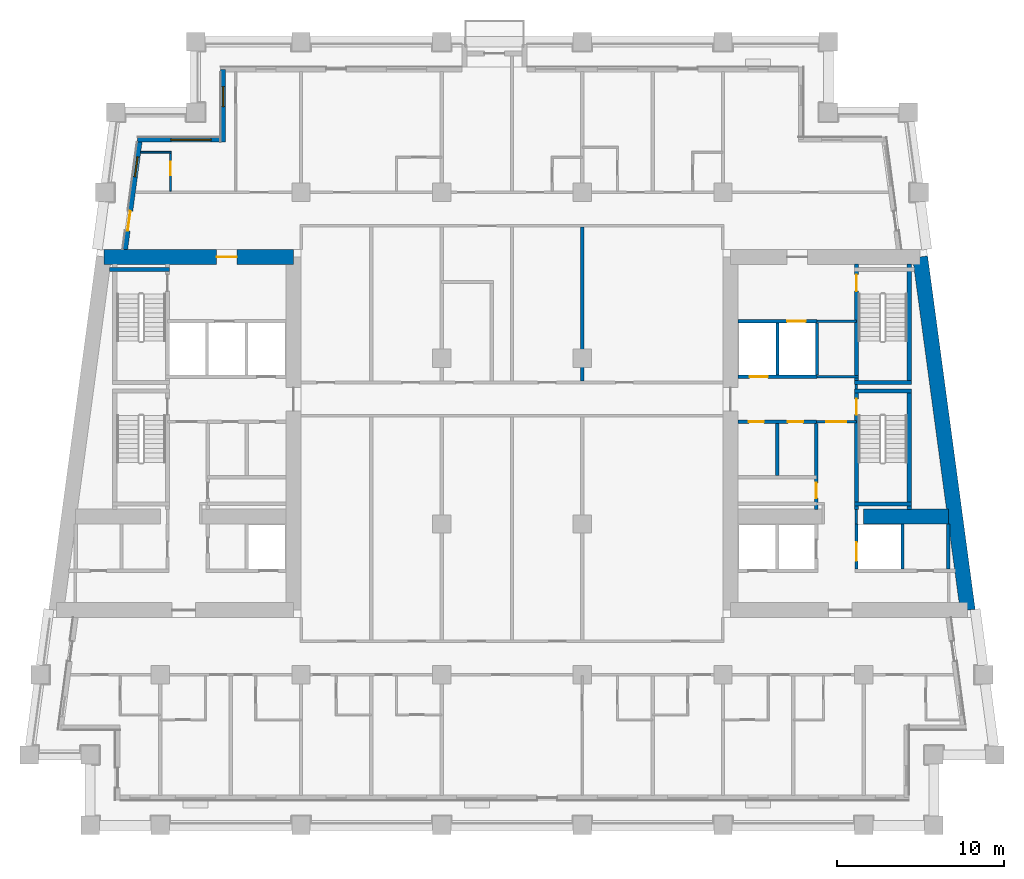
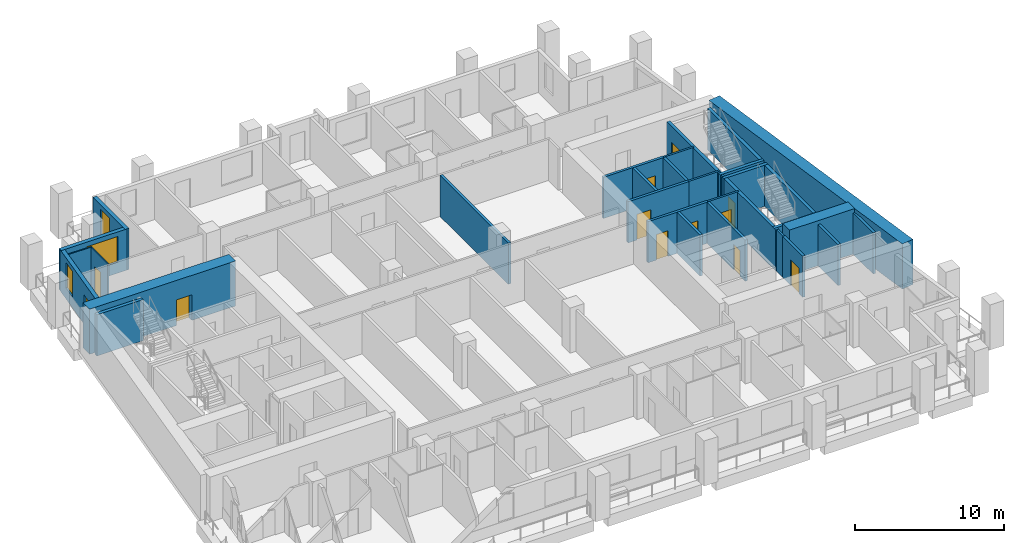
# One storey, part 6 of 13: 32 walls, 12 doors, 3 windows, 15 openings.
"""IFC4 building model written with IfcOpenShell, lengths in metres."""

from ifc_helpers import new_model, si_unit, direction, frame, frame_2d, origin, place, context, subcontext, project, spatial, rectangle, extrude, material, layer, layer_set, type_object, element, fill, save


model = new_model("IFC4")

# Units and contexts
model_context = context("Model", 3, precision=1e-05, world=origin(), true_north=direction((0.0, 1.0)))
body_context = subcontext(model_context, "Body", "Model", "MODEL_VIEW")
ifc_project = project(units=[si_unit("LENGTHUNIT", "METRE"), si_unit("AREAUNIT", "SQUARE_METRE"), si_unit("VOLUMEUNIT", "CUBIC_METRE"), si_unit("PLANEANGLEUNIT", "RADIAN"), si_unit("MASSUNIT", "GRAM", prefix="KILO")], contexts=[model_context])

# Site, building, storey
site_placement = place(None, origin())
site = spatial("IfcSite", under=ifc_project, at=site_placement, CompositionType="ELEMENT")
building_placement = place(site_placement, origin())
building = spatial("IfcBuilding", under=site, at=building_placement, Name="Candeia Pilgrim Tower and Theatre", CompositionType="ELEMENT")
storey_placement = place(building_placement, frame((0.0, 0.0, 177.39990234375)))
storey = spatial("IfcBuildingStorey", under=building, at=storey_placement, Name="L42", CompositionType="ELEMENT", Elevation=177.39990234375)

# Wall, opening, door
ifc_material_1 = material(Name="Concrete C60/75", Category="concrete")
ifc_layer_1 = layer(ifc_material_1, 0.89990234375)
ifc_layer_set_1 = layer_set([ifc_layer_1], Name="Core wall 900 C60/75")
wall_type_1 = type_object("IfcWallType", Name="Core wall 900 C60/75", PredefinedType="SHEAR", material=ifc_layer_set_1)
wall_1_placement = place(storey_placement, frame((89.024169921875, 131.949951171875, 0.0), z_axis=(0.0, 0.0, 1.0), x_axis=(1.0, 0.0, 0.0)))
wall_1 = element("IfcWall", 1, at=wall_1_placement, inside=storey, type_object=wall_type_1, Name="Core wall W1", PredefinedType="SHEAR", context=body_context, shape_type="SweptSolid", body=[
    extrude(rectangle(XDim=11.325927734375, YDim=0.89990234375, at=frame_2d((5.6630859375, 0.0))), origin(), (0.0, 0.0, 1.0), 3.7001953125),
])
opening_1_placement = place(wall_1_placement, frame((6.7392578125, 0.0, 0.0)))
opening_1 = element("IfcOpeningElement", 2, at=opening_1_placement, cuts=wall_1, Name="Opening L42-D063", PredefinedType="OPENING", context=body_context, shape_type="SweptSolid", body=[
    extrude(rectangle(XDim=1.199951171875, YDim=2.10009765625, at=frame_2d((0.60009765625, 1.050048828125))), frame((0.0, 0.4599609375, 0.0), z_axis=(0.0, -1.0, 0.0), x_axis=(1.0, 0.0, 0.0)), (0.0, 0.0, 1.0), 0.919921875),
])
ifc_material_2 = material(Name="Steel fire door set", Category="steel")
door_type_1 = type_object("IfcDoorType", Name="D-1200-FD60", OperationType="NOTDEFINED", PredefinedType="DOOR", material=ifc_material_2)
door_1_placement = place(opening_1_placement, origin())
door_1 = element("IfcDoor", 3, at=door_1_placement, inside=storey, type_object=door_type_1, Name="Door L42-D063", OperationType="SINGLE_SWING_LEFT", OverallHeight=2.10009765625, OverallWidth=1.199951171875, PredefinedType="DOOR", context=body_context, shape_type="SweptSolid", body=[
    extrude(rectangle(XDim=1.199951171875, YDim=2.10009765625, at=frame_2d((0.60009765625, 1.050048828125))), frame((0.0, 0.02490234375, 0.0), z_axis=(0.0, -1.0, 0.0), x_axis=(1.0, 0.0, 0.0)), (0.0, 0.0, 1.0), 0.050048828125),
])
fill(opening_1, door_1)

# Walls
wall_2_placement = place(storey_placement, frame((137.775634765625, 131.949951171875, 0.0), z_axis=(0.0, 0.0, 1.0), x_axis=(0.133421759112, -0.991059349482, 0.0)))
element("IfcWall", 4, at=wall_2_placement, inside=storey, type_object=wall_type_1, Name="Core wall E2", PredefinedType="SHEAR", context=body_context, shape_type="SweptSolid", body=[
    extrude(rectangle(XDim=21.290283203125, YDim=0.89990234375, at=frame_2d((10.64501953125, 0.0))), origin(), (0.0, 0.0, 1.0), 3.7001953125),
])
wall_3_placement = place(storey_placement, frame((134.39990234375, 116.449951171875, 0.0), z_axis=(0.0, 0.0, 1.0), x_axis=(1.0, 0.0, 0.0)))
element("IfcWall", 5, at=wall_3_placement, inside=storey, type_object=wall_type_1, Name="Core wall E6", PredefinedType="SHEAR", context=body_context, shape_type="SweptSolid", body=[
    extrude(rectangle(XDim=5.076904296875, YDim=0.89990234375, at=frame_2d((2.53857421875, 0.0))), origin(), (0.0, 0.0, 1.0), 3.7001953125),
])

# Wall, opening, window
ifc_material_3 = material(Name="Ceramic block masonry", Category="masonry")
ifc_layer_2 = layer(ifc_material_3, 0.300048828125)
ifc_layer_set_2 = layer_set([ifc_layer_2], Name="EW1 glazing-line wall 300")
wall_type_2 = type_object("IfcWallType", Name="EW1 glazing-line wall 300", PredefinedType="SOLIDWALL", material=ifc_layer_set_2)
wall_4_placement = place(storey_placement, frame((96.14990234375, 143.14990234375, 0.0), z_axis=(0.0, 0.0, 1.0), x_axis=(0.0, -1.0, 0.0)))
wall_4 = element("IfcWall", 6, at=wall_4_placement, inside=storey, type_object=wall_type_2, Name="External wall L42-7.0", PredefinedType="SOLIDWALL", context=body_context, shape_type="SweptSolid", body=[
    extrude(rectangle(XDim=4.349853515625, YDim=0.300048828125, at=frame_2d((2.1748046875, 0.0))), origin(), (0.0, 0.0, 1.0), 3.380126953125),
])
opening_2_placement = place(wall_4_placement, frame((1.02490234375, 0.0, 0.89990234375)))
opening_2 = element("IfcOpeningElement", 7, at=opening_2_placement, cuts=wall_4, Name="Opening W-B", PredefinedType="OPENING", context=body_context, shape_type="SweptSolid", body=[
    extrude(rectangle(XDim=1.199951171875, YDim=2.10009765625, at=frame_2d((0.60009765625, 1.050048828125))), frame((0.0, 0.16015625, 0.0), z_axis=(0.0, -1.0, 0.0), x_axis=(1.0, 0.0, 0.0)), (0.0, 0.0, 1.0), 0.320068359375),
])
ifc_material_4 = material(Name="Aluminium framed double glazing", Category="aluminium")
window_type_1 = type_object("IfcWindowType", Name="W-B window 1200x2100", PartitioningType="SINGLE_PANEL", PredefinedType="WINDOW", material=ifc_material_4)
window_1_placement = place(opening_2_placement, origin())
window_1 = element("IfcWindow", 8, at=window_1_placement, inside=storey, type_object=window_type_1, Name="Window W-B L42", OverallHeight=2.10009765625, OverallWidth=1.199951171875, PartitioningType="SINGLE_PANEL", PredefinedType="WINDOW", context=body_context, shape_type="SweptSolid", body=[
    extrude(rectangle(XDim=1.199951171875, YDim=2.10009765625, at=frame_2d((0.60009765625, 1.050048828125))), frame((0.0, 0.030029296875, 0.0), z_axis=(0.0, -1.0, 0.0), x_axis=(1.0, 0.0, 0.0)), (0.0, 0.0, 1.0), 0.06005859375),
])
fill(opening_2, window_1)

wall_5_placement = place(storey_placement, frame((96.14990234375, 138.949951171875, 0.0), z_axis=(0.0, 0.0, 1.0), x_axis=(-1.0, 0.0, 0.0)))
wall_5 = element("IfcWall", 9, at=wall_5_placement, inside=storey, type_object=wall_type_2, Name="External wall L42-8.0", PredefinedType="SOLIDWALL", context=body_context, shape_type="SweptSolid", body=[
    extrude(rectangle(XDim=5.103759765625, YDim=0.300048828125, at=frame_2d((2.5517578125, 0.0))), origin(), (0.0, 0.0, 1.0), 3.380126953125),
])
opening_3_placement = place(wall_5_placement, frame((0.72509765625, 0.0, 0.89990234375)))
opening_3 = element("IfcOpeningElement", 10, at=opening_3_placement, cuts=wall_5, Name="Opening W-A", PredefinedType="OPENING", context=body_context, shape_type="SweptSolid", body=[
    extrude(rectangle(XDim=2.39990234375, YDim=2.10009765625, at=frame_2d((1.199951171875, 1.050048828125))), frame((0.0, 0.16015625, 0.0), z_axis=(0.0, -1.0, 0.0), x_axis=(1.0, 0.0, 0.0)), (0.0, 0.0, 1.0), 0.320068359375),
])
window_type_2 = type_object("IfcWindowType", Name="W-A window 2400x2100", PartitioningType="DOUBLE_PANEL_VERTICAL", PredefinedType="WINDOW", material=ifc_material_4)
window_2_placement = place(opening_3_placement, origin())
window_2 = element("IfcWindow", 11, at=window_2_placement, inside=storey, type_object=window_type_2, Name="Window W-A L42", OverallHeight=2.10009765625, OverallWidth=2.39990234375, PartitioningType="SINGLE_PANEL", PredefinedType="WINDOW", context=body_context, shape_type="SweptSolid", body=[
    extrude(rectangle(XDim=2.39990234375, YDim=2.10009765625, at=frame_2d((1.199951171875, 1.050048828125))), frame((0.0, 0.030029296875, 0.0), z_axis=(0.0, -1.0, 0.0), x_axis=(1.0, 0.0, 0.0)), (0.0, 0.0, 1.0), 0.06005859375),
])
fill(opening_3, window_2)

# Wall, openings, door, window
wall_6_placement = place(storey_placement, frame((91.177490234375, 138.949951171875, 0.0), z_axis=(0.0, 0.0, 1.0), x_axis=(-0.133426664613, -0.991058689065, 0.0)))
wall_6 = element("IfcWall", 12, at=wall_6_placement, inside=storey, type_object=wall_type_2, Name="External wall L42-9.0", PredefinedType="SOLIDWALL", context=body_context, shape_type="SweptSolid", body=[
    extrude(rectangle(XDim=6.609130859375, YDim=0.300048828125, at=frame_2d((3.3046875, 0.0))), origin(), (0.0, 0.0, 1.0), 3.380126953125),
])
opening_4_placement = place(wall_6_placement, frame((1.039306640625, 0.0, 0.89990234375)))
opening_4 = element("IfcOpeningElement", 13, at=opening_4_placement, cuts=wall_6, Name="Opening W-B", PredefinedType="OPENING", context=body_context, shape_type="SweptSolid", body=[
    extrude(rectangle(XDim=1.199951171875, YDim=2.10009765625, at=frame_2d((0.60009765625, 1.050048828125))), frame((0.0, 0.16015625, 0.0), z_axis=(0.0, -1.0, 0.0), x_axis=(1.0, 0.0, 0.0)), (0.0, 0.0, 1.0), 0.320068359375),
])
opening_5_placement = place(wall_6_placement, frame((4.293701171875, 0.0, 0.0)))
opening_5 = element("IfcOpeningElement", 14, at=opening_5_placement, cuts=wall_6, Name="Opening L42-ED408", PredefinedType="OPENING", context=body_context, shape_type="SweptSolid", body=[
    extrude(rectangle(XDim=1.199951171875, YDim=2.39990234375, at=frame_2d((0.60009765625, 1.199951171875))), frame((0.0, 0.16015625, 0.0), z_axis=(0.0, -1.0, 0.0), x_axis=(1.0, 0.0, 0.0)), (0.0, 0.0, 1.0), 0.320068359375),
])
ifc_material_5 = material(Name="Aluminium framed glazed door", Category="aluminium")
door_type_2 = type_object("IfcDoorType", Name="Loggia door 1200x2400", OperationType="DOUBLE_DOOR_SINGLE_SWING", PredefinedType="DOOR", material=ifc_material_5)
door_2_placement = place(opening_5_placement, origin())
door_2 = element("IfcDoor", 15, at=door_2_placement, inside=storey, type_object=door_type_2, Name="Loggia door L42-ED408", OperationType="DOUBLE_DOOR_SINGLE_SWING", OverallHeight=2.39990234375, OverallWidth=1.199951171875, PredefinedType="DOOR", context=body_context, shape_type="SweptSolid", body=[
    extrude(rectangle(XDim=1.199951171875, YDim=2.39990234375, at=frame_2d((0.60009765625, 1.199951171875))), frame((0.0, 0.02490234375, 0.0), z_axis=(0.0, -1.0, 0.0), x_axis=(1.0, 0.0, 0.0)), (0.0, 0.0, 1.0), 0.050048828125),
])
fill(opening_5, door_2)
window_3_placement = place(opening_4_placement, origin())
window_3 = element("IfcWindow", 16, at=window_3_placement, inside=storey, type_object=window_type_1, Name="Window W-B L42", OverallHeight=2.10009765625, OverallWidth=1.199951171875, PartitioningType="SINGLE_PANEL", PredefinedType="WINDOW", context=body_context, shape_type="SweptSolid", body=[
    extrude(rectangle(XDim=1.199951171875, YDim=2.10009765625, at=frame_2d((0.60009765625, 1.050048828125))), frame((0.0, 0.030029296875, 0.0), z_axis=(0.0, -1.0, 0.0), x_axis=(1.0, 0.0, 0.0)), (0.0, 0.0, 1.0), 0.06005859375),
])
fill(opening_4, window_3)

# Wall
ifc_material_6 = material(Name="Gypsum board partition on steel studs", Category="steel")
ifc_layer_3 = layer(ifc_material_6, 0.10009765625)
ifc_layer_set_3 = layer_set([ifc_layer_3], Name="PW-100 room partition")
wall_type_3 = type_object("IfcWallType", Name="PW-100 room partition", PredefinedType="PARTITIONING", material=ifc_layer_set_3)
wall_7_placement = place(storey_placement, frame((91.2177734375, 138.199951171875, 0.0), z_axis=(0.0, 0.0, 1.0), x_axis=(1.0, 0.0, 0.0)))
element("IfcWall", 17, at=wall_7_placement, inside=storey, type_object=wall_type_3, Name="Room partition L42-048", PredefinedType="PARTITIONING", context=body_context, shape_type="SweptSolid", body=[
    extrude(rectangle(XDim=1.832275390625, YDim=0.10009765625, at=frame_2d((0.916015625, 0.0))), origin(), (0.0, 0.0, 1.0), 3.380126953125),
])

# Wall, opening, door
wall_8_placement = place(storey_placement, frame((93.0, 135.875, 0.0), z_axis=(0.0, 0.0, 1.0), x_axis=(0.0, 1.0, 0.0)))
wall_8 = element("IfcWall", 18, at=wall_8_placement, inside=storey, type_object=wall_type_3, Name="Room partition L42-063", PredefinedType="PARTITIONING", context=body_context, shape_type="SweptSolid", body=[
    extrude(rectangle(XDim=2.27490234375, YDim=0.10009765625, at=frame_2d((1.137451171875, 0.0))), origin(), (0.0, 0.0, 1.0), 3.380126953125),
])
opening_6_placement = place(wall_8_placement, frame((0.949951171875, 0.0, 0.0)))
opening_6 = element("IfcOpeningElement", 19, at=opening_6_placement, cuts=wall_8, Name="Opening L42-D040", PredefinedType="OPENING", context=body_context, shape_type="SweptSolid", body=[
    extrude(rectangle(XDim=0.800048828125, YDim=2.10009765625, at=frame_2d((0.39990234375, 1.050048828125))), frame((0.0, 0.06005859375, 0.0), z_axis=(0.0, -1.0, 0.0), x_axis=(1.0, 0.0, 0.0)), (0.0, 0.0, 1.0), 0.1201171875),
])
ifc_material_7 = material(Name="Timber door leaf", Category="wood")
door_type_3 = type_object("IfcDoorType", Name="D-800", OperationType="NOTDEFINED", PredefinedType="DOOR", material=ifc_material_7)
door_3_placement = place(opening_6_placement, origin())
door_3 = element("IfcDoor", 20, at=door_3_placement, inside=storey, type_object=door_type_3, Name="Door L42-D040", OperationType="SINGLE_SWING_RIGHT", OverallHeight=2.10009765625, OverallWidth=0.800048828125, PredefinedType="DOOR", context=body_context, shape_type="SweptSolid", body=[
    extrude(rectangle(XDim=0.800048828125, YDim=2.10009765625, at=frame_2d((0.39990234375, 1.050048828125))), frame((0.0, 0.02490234375, 0.0), z_axis=(0.0, -1.0, 0.0), x_axis=(1.0, 0.0, 0.0)), (0.0, 0.0, 1.0), 0.050048828125),
])
fill(opening_6, door_3)

ifc_layer_4 = layer(ifc_material_6, 0.14990234375)
ifc_layer_set_4 = layer_set([ifc_layer_4], Name="PW-150 lobby wall")
wall_type_4 = type_object("IfcWallType", Name="PW-150 lobby wall", PredefinedType="PARTITIONING", material=ifc_layer_set_4)
wall_9_placement = place(storey_placement, frame((131.572998046875, 122.10009765625, 0.0), z_axis=(0.0, 0.0, 1.0), x_axis=(1.0, 0.0, 0.0)))
wall_9 = element("IfcWall", 21, at=wall_9_placement, inside=storey, type_object=wall_type_4, Name="Lobby wall L42-028", PredefinedType="PARTITIONING", context=body_context, shape_type="SweptSolid", body=[
    extrude(rectangle(XDim=2.39990234375, YDim=0.14990234375, at=frame_2d((1.199951171875, 0.0))), origin(), (0.0, 0.0, 1.0), 3.380126953125),
])
opening_7_placement = place(wall_9_placement, frame((0.60009765625, 0.0, 0.0)))
opening_7 = element("IfcOpeningElement", 22, at=opening_7_placement, cuts=wall_9, Name="Opening L42-D010", PredefinedType="OPENING", context=body_context, shape_type="SweptSolid", body=[
    extrude(rectangle(XDim=1.199951171875, YDim=2.10009765625, at=frame_2d((0.60009765625, 1.050048828125))), frame((0.0, 0.0849609375, 0.0), z_axis=(0.0, -1.0, 0.0), x_axis=(1.0, 0.0, 0.0)), (0.0, 0.0, 1.0), 0.169921875),
])
door_4_placement = place(opening_7_placement, origin())
door_4 = element("IfcDoor", 23, at=door_4_placement, inside=storey, type_object=door_type_1, Name="Door L42-D010", OperationType="SINGLE_SWING_LEFT", OverallHeight=2.10009765625, OverallWidth=1.199951171875, PredefinedType="DOOR", context=body_context, shape_type="SweptSolid", body=[
    extrude(rectangle(XDim=1.199951171875, YDim=2.10009765625, at=frame_2d((0.60009765625, 1.050048828125))), frame((0.0, 0.02490234375, 0.0), z_axis=(0.0, -1.0, 0.0), x_axis=(1.0, 0.0, 0.0)), (0.0, 0.0, 1.0), 0.050048828125),
])
fill(opening_7, door_4)

# Walls
wall_10_placement = place(storey_placement, frame((131.615234375, 124.800048828125, 0.0), z_axis=(0.0, 0.0, 1.0), x_axis=(1.0, 0.0, 0.0)))
element("IfcWall", 24, at=wall_10_placement, inside=storey, type_object=wall_type_4, Name="Lobby wall L42-037", PredefinedType="PARTITIONING", context=body_context, shape_type="SweptSolid", body=[
    extrude(rectangle(XDim=2.482666015625, YDim=0.14990234375, at=frame_2d((1.2412109375, 0.0))), origin(), (0.0, 0.0, 1.0), 3.380126953125),
])
wall_11_placement = place(storey_placement, frame((131.615234375, 128.10009765625, 0.0), z_axis=(0.0, 0.0, 1.0), x_axis=(1.0, 0.0, 0.0)))
element("IfcWall", 25, at=wall_11_placement, inside=storey, type_object=wall_type_4, Name="Lobby wall L42-040", PredefinedType="PARTITIONING", context=body_context, shape_type="SweptSolid", body=[
    extrude(rectangle(XDim=2.357666015625, YDim=0.14990234375, at=frame_2d((1.1787109375, 0.0))), origin(), (0.0, 0.0, 1.0), 3.380126953125),
])
wall_12_placement = place(storey_placement, frame((133.972900390625, 116.0, 0.0), z_axis=(0.0, 0.0, 1.0), x_axis=(0.0, 1.0, 0.0)))
element("IfcWall", 26, at=wall_12_placement, inside=storey, type_object=wall_type_4, Name="Lobby wall L42-119", PredefinedType="PARTITIONING", context=body_context, shape_type="SweptSolid", body=[
    extrude(rectangle(XDim=0.8701171875, YDim=0.14990234375, at=frame_2d((0.43505859375, 0.0))), origin(), (0.0, 0.0, 1.0), 3.380126953125),
])
wall_13_placement = place(storey_placement, frame((133.972900390625, 124.074951171875, 0.0), z_axis=(0.0, 0.0, 1.0), x_axis=(0.0, 1.0, 0.0)))
element("IfcWall", 27, at=wall_13_placement, inside=storey, type_object=wall_type_4, Name="Lobby wall L42-120", PredefinedType="PARTITIONING", context=body_context, shape_type="SweptSolid", body=[
    extrude(rectangle(XDim=0.25, YDim=0.14990234375, at=frame_2d((0.125, 0.0))), origin(), (0.0, 0.0, 1.0), 3.380126953125),
])
ifc_layer_5 = layer(ifc_material_6, 0.199951171875)
ifc_layer_set_5 = layer_set([ifc_layer_5], Name="PW-200 party wall")
wall_type_5 = type_object("IfcWallType", Name="PW-200 party wall", PredefinedType="PARTITIONING", material=ifc_layer_set_5)
wall_14_placement = place(storey_placement, frame((117.60009765625, 124.52490234375, 0.0), z_axis=(0.0, 0.0, 1.0), x_axis=(0.0, 1.0, 0.0)))
element("IfcWall", 28, at=wall_14_placement, inside=storey, type_object=wall_type_5, Name="Party wall L42-096", PredefinedType="PARTITIONING", context=body_context, shape_type="SweptSolid", body=[
    extrude(rectangle(XDim=9.2001953125, YDim=0.199951171875, at=frame_2d((4.60009765625, 0.0))), origin(), (0.0, 0.0, 1.0), 3.380126953125),
])

# Wall, openings, doors
ifc_material_8 = material(Name="Concrete C40/50", Category="concrete")
ifc_layer_6 = layer(ifc_material_8, 0.199951171875)
ifc_layer_set_6 = layer_set([ifc_layer_6], Name="SW-200 shaft wall")
wall_type_6 = type_object("IfcWallType", Name="SW-200 shaft wall", PredefinedType="PARTITIONING", material=ifc_layer_set_6)
wall_15_placement = place(storey_placement, frame((126.89990234375, 122.10009765625, 0.0), z_axis=(0.0, 0.0, 1.0), x_axis=(1.0, 0.0, 0.0)))
wall_15 = element("IfcWall", 29, at=wall_15_placement, inside=storey, type_object=wall_type_6, Name="Shaft wall L42-026", PredefinedType="PARTITIONING", context=body_context, shape_type="SweptSolid", body=[
    extrude(rectangle(XDim=4.673095703125, YDim=0.199951171875, at=frame_2d((2.33642578125, 0.0))), origin(), (0.0, 0.0, 1.0), 3.380126953125),
])
opening_8_placement = place(wall_15_placement, frame((2.98095703125, 0.0, 0.0)))
opening_8 = element("IfcOpeningElement", 30, at=opening_8_placement, cuts=wall_15, Name="Opening L42-D011", PredefinedType="OPENING", context=body_context, shape_type="SweptSolid", body=[
    extrude(rectangle(XDim=0.89990234375, YDim=2.10009765625, at=frame_2d((0.449951171875, 1.050048828125))), frame((0.0, 0.10986328125, 0.0), z_axis=(0.0, -1.0, 0.0), x_axis=(1.0, 0.0, 0.0)), (0.0, 0.0, 1.0), 0.219970703125),
])
opening_9_placement = place(wall_15_placement, frame((0.64501953125, 0.0, 0.0)))
opening_9 = element("IfcOpeningElement", 31, at=opening_9_placement, cuts=wall_15, Name="Opening L42-D012", PredefinedType="OPENING", context=body_context, shape_type="SweptSolid", body=[
    extrude(rectangle(XDim=0.89990234375, YDim=2.10009765625, at=frame_2d((0.449951171875, 1.050048828125))), frame((0.0, 0.10986328125, 0.0), z_axis=(0.0, -1.0, 0.0), x_axis=(1.0, 0.0, 0.0)), (0.0, 0.0, 1.0), 0.219970703125),
])
door_type_4 = type_object("IfcDoorType", Name="D-900-FD60", OperationType="NOTDEFINED", PredefinedType="DOOR", material=ifc_material_2)
door_5_placement = place(opening_8_placement, origin())
door_5 = element("IfcDoor", 32, at=door_5_placement, inside=storey, type_object=door_type_4, Name="Door L42-D011", OperationType="SINGLE_SWING_RIGHT", OverallHeight=2.10009765625, OverallWidth=0.89990234375, PredefinedType="DOOR", context=body_context, shape_type="SweptSolid", body=[
    extrude(rectangle(XDim=0.89990234375, YDim=2.10009765625, at=frame_2d((0.449951171875, 1.050048828125))), frame((0.0, 0.02490234375, 0.0), z_axis=(0.0, -1.0, 0.0), x_axis=(1.0, 0.0, 0.0)), (0.0, 0.0, 1.0), 0.050048828125),
])
fill(opening_8, door_5)
door_6_placement = place(opening_9_placement, origin())
door_6 = element("IfcDoor", 33, at=door_6_placement, inside=storey, type_object=door_type_4, Name="Door L42-D012", OperationType="SINGLE_SWING_LEFT", OverallHeight=2.10009765625, OverallWidth=0.89990234375, PredefinedType="DOOR", context=body_context, shape_type="SweptSolid", body=[
    extrude(rectangle(XDim=0.89990234375, YDim=2.10009765625, at=frame_2d((0.449951171875, 1.050048828125))), frame((0.0, 0.02490234375, 0.0), z_axis=(0.0, -1.0, 0.0), x_axis=(1.0, 0.0, 0.0)), (0.0, 0.0, 1.0), 0.050048828125),
])
fill(opening_9, door_6)

# Wall, opening, door
wall_16_placement = place(storey_placement, frame((126.89990234375, 124.800048828125, 0.0), z_axis=(0.0, 0.0, 1.0), x_axis=(1.0, 0.0, 0.0)))
wall_16 = element("IfcWall", 34, at=wall_16_placement, inside=storey, type_object=wall_type_6, Name="Shaft wall L42-036", PredefinedType="PARTITIONING", context=body_context, shape_type="SweptSolid", body=[
    extrude(rectangle(XDim=4.71533203125, YDim=0.199951171875, at=frame_2d((2.357666015625, 0.0))), origin(), (0.0, 0.0, 1.0), 3.380126953125),
])
opening_10_placement = place(wall_16_placement, frame((0.68505859375, 0.0, 0.0)))
opening_10 = element("IfcOpeningElement", 35, at=opening_10_placement, cuts=wall_16, Name="Opening L42-LD05", PredefinedType="OPENING", context=body_context, shape_type="SweptSolid", body=[
    extrude(rectangle(XDim=1.10009765625, YDim=2.10009765625, at=frame_2d((0.550048828125, 1.050048828125))), frame((0.0, 0.10986328125, 0.0), z_axis=(0.0, -1.0, 0.0), x_axis=(1.0, 0.0, 0.0)), (0.0, 0.0, 1.0), 0.219970703125),
])
ifc_material_9 = material(Name="Glazed aluminium landing door", Category="aluminium")
door_type_5 = type_object("IfcDoorType", Name="LD-1100-EI120", OperationType="SLIDING_TO_LEFT", PredefinedType="DOOR", material=ifc_material_9)
door_7_placement = place(opening_10_placement, origin())
door_7 = element("IfcDoor", 36, at=door_7_placement, inside=storey, type_object=door_type_5, Name="Landing door 05 L42", OperationType="SLIDING_TO_LEFT", OverallHeight=2.10009765625, OverallWidth=1.10009765625, PredefinedType="DOOR", context=body_context, shape_type="SweptSolid", body=[
    extrude(rectangle(XDim=1.10009765625, YDim=2.10009765625, at=frame_2d((0.550048828125, 1.050048828125))), frame((0.0, 0.02490234375, 0.0), z_axis=(0.0, -1.0, 0.0), x_axis=(1.0, 0.0, 0.0)), (0.0, 0.0, 1.0), 0.050048828125),
])
fill(opening_10, door_7)

wall_17_placement = place(storey_placement, frame((126.89990234375, 128.10009765625, 0.0), z_axis=(0.0, 0.0, 1.0), x_axis=(1.0, 0.0, 0.0)))
wall_17 = element("IfcWall", 37, at=wall_17_placement, inside=storey, type_object=wall_type_6, Name="Shaft wall L42-039", PredefinedType="PARTITIONING", context=body_context, shape_type="SweptSolid", body=[
    extrude(rectangle(XDim=4.71533203125, YDim=0.199951171875, at=frame_2d((2.357666015625, 0.0))), origin(), (0.0, 0.0, 1.0), 3.380126953125),
])
opening_11_placement = place(wall_17_placement, frame((2.930908203125, 0.0, 0.0)))
opening_11 = element("IfcOpeningElement", 38, at=opening_11_placement, cuts=wall_17, Name="Opening L42-LD04", PredefinedType="OPENING", context=body_context, shape_type="SweptSolid", body=[
    extrude(rectangle(XDim=1.10009765625, YDim=2.10009765625, at=frame_2d((0.550048828125, 1.050048828125))), frame((0.0, 0.10986328125, 0.0), z_axis=(0.0, -1.0, 0.0), x_axis=(1.0, 0.0, 0.0)), (0.0, 0.0, 1.0), 0.219970703125),
])
door_8_placement = place(opening_11_placement, origin())
door_8 = element("IfcDoor", 39, at=door_8_placement, inside=storey, type_object=door_type_5, Name="Landing door 04 L42", OperationType="SLIDING_TO_LEFT", OverallHeight=2.10009765625, OverallWidth=1.10009765625, PredefinedType="DOOR", context=body_context, shape_type="SweptSolid", body=[
    extrude(rectangle(XDim=1.10009765625, YDim=2.10009765625, at=frame_2d((0.550048828125, 1.050048828125))), frame((0.0, 0.02490234375, 0.0), z_axis=(0.0, -1.0, 0.0), x_axis=(1.0, 0.0, 0.0)), (0.0, 0.0, 1.0), 0.050048828125),
])
fill(opening_11, door_8)

# Walls
for number, where, z_axis, x_axis, name in (
    (40, (129.236572265625, 118.89990234375, 0.0), (0.0, 0.0, 1.0), (0.0, 1.0, 0.0), "Shaft wall L42-110"),
    (41, (129.2578125, 124.89990234375, 0.0), (0.0, 0.0, 1.0), (0.0, 1.0, 0.0), "Shaft wall L42-111"),
):
    element("IfcWall", number, at=place(storey_placement, frame(where, z_axis=z_axis, x_axis=x_axis)), inside=storey, type_object=wall_type_6, Name=name, PredefinedType="PARTITIONING", context=body_context, shape_type="SweptSolid", body=[
        extrude(rectangle(XDim=3.10009765625, YDim=0.199951171875, at=frame_2d((1.550048828125, 0.0))), origin(), (0.0, 0.0, 1.0), 3.380126953125),
    ])

# Wall, opening, door
wall_18_placement = place(storey_placement, frame((131.572998046875, 116.8701171875, 0.0), z_axis=(0.0, 0.0, 1.0), x_axis=(0.0, 1.0, 0.0)))
wall_18 = element("IfcWall", 42, at=wall_18_placement, inside=storey, type_object=wall_type_6, Name="Shaft wall L42-114", PredefinedType="PARTITIONING", context=body_context, shape_type="SweptSolid", body=[
    extrude(rectangle(XDim=5.1298828125, YDim=0.199951171875, at=frame_2d((2.56494140625, 0.0))), origin(), (0.0, 0.0, 1.0), 3.380126953125),
])
opening_12_placement = place(wall_18_placement, frame((0.679931640625, 0.0, 0.0)))
opening_12 = element("IfcOpeningElement", 43, at=opening_12_placement, cuts=wall_18, Name="Opening L42-D015", PredefinedType="OPENING", context=body_context, shape_type="SweptSolid", body=[
    extrude(rectangle(XDim=0.89990234375, YDim=2.10009765625, at=frame_2d((0.449951171875, 1.050048828125))), frame((0.0, 0.10986328125, 0.0), z_axis=(0.0, -1.0, 0.0), x_axis=(1.0, 0.0, 0.0)), (0.0, 0.0, 1.0), 0.219970703125),
])
door_9_placement = place(opening_12_placement, origin())
door_9 = element("IfcDoor", 44, at=door_9_placement, inside=storey, type_object=door_type_4, Name="Door L42-D015", OperationType="SINGLE_SWING_RIGHT", OverallHeight=2.10009765625, OverallWidth=0.89990234375, PredefinedType="DOOR", context=body_context, shape_type="SweptSolid", body=[
    extrude(rectangle(XDim=0.89990234375, YDim=2.10009765625, at=frame_2d((0.449951171875, 1.050048828125))), frame((0.0, 0.02490234375, 0.0), z_axis=(0.0, -1.0, 0.0), x_axis=(1.0, 0.0, 0.0)), (0.0, 0.0, 1.0), 0.050048828125),
])
fill(opening_12, door_9)

# Wall
wall_19_placement = place(storey_placement, frame((131.615234375, 124.89990234375, 0.0), z_axis=(0.0, 0.0, 1.0), x_axis=(0.0, 1.0, 0.0)))
element("IfcWall", 45, at=wall_19_placement, inside=storey, type_object=wall_type_6, Name="Shaft wall L42-115", PredefinedType="PARTITIONING", context=body_context, shape_type="SweptSolid", body=[
    extrude(rectangle(XDim=3.10009765625, YDim=0.199951171875, at=frame_2d((1.550048828125, 0.0))), origin(), (0.0, 0.0, 1.0), 3.380126953125),
])

# Wall, opening, door
wall_20_placement = place(storey_placement, frame((133.972900390625, 113.300048828125, 0.0), z_axis=(0.0, 0.0, 1.0), x_axis=(0.0, 1.0, 0.0)))
wall_20 = element("IfcWall", 46, at=wall_20_placement, inside=storey, type_object=wall_type_6, Name="Shaft wall L42-118", PredefinedType="PARTITIONING", context=body_context, shape_type="SweptSolid", body=[
    extrude(rectangle(XDim=2.699951171875, YDim=0.199951171875, at=frame_2d((1.35009765625, 0.0))), origin(), (0.0, 0.0, 1.0), 3.380126953125),
])
opening_13_placement = place(wall_20_placement, frame((0.5, 0.0, 0.0)))
opening_13 = element("IfcOpeningElement", 47, at=opening_13_placement, cuts=wall_20, Name="Opening L42-LD06", PredefinedType="OPENING", context=body_context, shape_type="SweptSolid", body=[
    extrude(rectangle(XDim=1.10009765625, YDim=2.10009765625, at=frame_2d((0.550048828125, 1.050048828125))), frame((0.0, 0.10986328125, 0.0), z_axis=(0.0, -1.0, 0.0), x_axis=(1.0, 0.0, 0.0)), (0.0, 0.0, 1.0), 0.219970703125),
])
door_10_placement = place(opening_13_placement, origin())
door_10 = element("IfcDoor", 48, at=door_10_placement, inside=storey, type_object=door_type_5, Name="Landing door 06 L42", OperationType="SLIDING_TO_LEFT", OverallHeight=2.10009765625, OverallWidth=1.10009765625, PredefinedType="DOOR", context=body_context, shape_type="SweptSolid", body=[
    extrude(rectangle(XDim=1.10009765625, YDim=2.10009765625, at=frame_2d((0.550048828125, 1.050048828125))), frame((0.0, 0.02490234375, 0.0), z_axis=(0.0, -1.0, 0.0), x_axis=(1.0, 0.0, 0.0)), (0.0, 0.0, 1.0), 0.050048828125),
])
fill(opening_13, door_10)

# Walls
for number, where, z_axis, x_axis, name in (
    (49, (136.722412109375, 113.300048828125, 0.0), (0.0, 0.0, 1.0), (0.0, 1.0, 0.0), "Shaft wall L42-124"),
    (50, (139.44970703125, 113.300048828125, 0.0), (0.0, 0.0, 1.0), (0.0, 1.0, 0.0), "Shaft wall L42-128"),
):
    element("IfcWall", number, at=place(storey_placement, frame(where, z_axis=z_axis, x_axis=x_axis)), inside=storey, type_object=wall_type_6, Name=name, PredefinedType="PARTITIONING", context=body_context, shape_type="SweptSolid", body=[
        extrude(rectangle(XDim=2.699951171875, YDim=0.199951171875, at=frame_2d((1.35009765625, 0.0))), origin(), (0.0, 0.0, 1.0), 3.380126953125),
    ])
ifc_layer_7 = layer(ifc_material_8, 0.25)
ifc_layer_set_7 = layer_set([ifc_layer_7], Name="SW-250 stair wall")
wall_type_7 = type_object("IfcWallType", Name="SW-250 stair wall", PredefinedType="PARTITIONING", material=ifc_layer_set_7)
for number, where, z_axis, x_axis, name in (
    (51, (133.847900390625, 117.199951171875, 0.0), (0.0, 0.0, 1.0), (1.0, 0.0, 0.0), "Stair wall L42-022"),
    (52, (133.847900390625, 123.949951171875, 0.0), (0.0, 0.0, 1.0), (1.0, 0.0, 0.0), "Stair wall L42-031"),
    (53, (133.847900390625, 124.449951171875, 0.0), (0.0, 0.0, 1.0), (1.0, 0.0, 0.0), "Stair wall L42-033"),
):
    element("IfcWall", number, at=place(storey_placement, frame(where, z_axis=z_axis, x_axis=x_axis)), inside=storey, type_object=wall_type_7, Name=name, PredefinedType="PARTITIONING", context=body_context, shape_type="SweptSolid", body=[
        extrude(rectangle(XDim=3.400146484375, YDim=0.25, at=frame_2d((1.7001953125, 0.0))), origin(), (0.0, 0.0, 1.0), 3.380126953125),
    ])
wall_21_placement = place(storey_placement, frame((89.347412109375, 131.199951171875, 0.0), z_axis=(0.0, 0.0, 1.0), x_axis=(1.0, 0.0, 0.0)))
element("IfcWall", 54, at=wall_21_placement, inside=storey, type_object=wall_type_7, Name="Stair wall L42-042", PredefinedType="PARTITIONING", context=body_context, shape_type="SweptSolid", body=[
    extrude(rectangle(XDim=3.6044921875, YDim=0.25, at=frame_2d((1.80224609375, 0.0))), origin(), (0.0, 0.0, 1.0), 3.380126953125),
])

# Wall, opening, door
wall_22_placement = place(storey_placement, frame((133.972900390625, 116.8701171875, 0.0), z_axis=(0.0, 0.0, 1.0), x_axis=(0.0, 1.0, 0.0)))
wall_22 = element("IfcWall", 55, at=wall_22_placement, inside=storey, type_object=wall_type_7, Name="Stair wall L42-121", PredefinedType="PARTITIONING", context=body_context, shape_type="SweptSolid", body=[
    extrude(rectangle(XDim=6.954833984375, YDim=0.25, at=frame_2d((3.4775390625, 0.0))), origin(), (0.0, 0.0, 1.0), 3.380126953125),
])
opening_14_placement = place(wall_22_placement, frame((5.655029296875, 0.0, 0.0)))
opening_14 = element("IfcOpeningElement", 56, at=opening_14_placement, cuts=wall_22, Name="Opening L42-D013", PredefinedType="OPENING", context=body_context, shape_type="SweptSolid", body=[
    extrude(rectangle(XDim=0.949951171875, YDim=2.10009765625, at=frame_2d((0.47509765625, 1.050048828125))), frame((0.0, 0.135009765625, 0.0), z_axis=(0.0, -1.0, 0.0), x_axis=(1.0, 0.0, 0.0)), (0.0, 0.0, 1.0), 0.27001953125),
])
door_type_6 = type_object("IfcDoorType", Name="D-950-FD60", OperationType="NOTDEFINED", PredefinedType="DOOR", material=ifc_material_2)
door_11_placement = place(opening_14_placement, origin())
door_11 = element("IfcDoor", 57, at=door_11_placement, inside=storey, type_object=door_type_6, Name="Door L42-D013", OperationType="SINGLE_SWING_RIGHT", OverallHeight=2.10009765625, OverallWidth=0.949951171875, PredefinedType="DOOR", context=body_context, shape_type="SweptSolid", body=[
    extrude(rectangle(XDim=0.949951171875, YDim=2.10009765625, at=frame_2d((0.47509765625, 1.050048828125))), frame((0.0, 0.02490234375, 0.0), z_axis=(0.0, -1.0, 0.0), x_axis=(1.0, 0.0, 0.0)), (0.0, 0.0, 1.0), 0.050048828125),
])
fill(opening_14, door_11)

wall_23_placement = place(storey_placement, frame((133.972900390625, 124.574951171875, 0.0), z_axis=(0.0, 0.0, 1.0), x_axis=(0.0, 1.0, 0.0)))
wall_23 = element("IfcWall", 58, at=wall_23_placement, inside=storey, type_object=wall_type_7, Name="Stair wall L42-122", PredefinedType="PARTITIONING", context=body_context, shape_type="SweptSolid", body=[
    extrude(rectangle(XDim=6.955078125, YDim=0.25, at=frame_2d((3.4775390625, 0.0))), origin(), (0.0, 0.0, 1.0), 3.380126953125),
])
opening_15_placement = place(wall_23_placement, frame((5.324951171875, 0.0, 0.0)))
opening_15 = element("IfcOpeningElement", 59, at=opening_15_placement, cuts=wall_23, Name="Opening L42-D014", PredefinedType="OPENING", context=body_context, shape_type="SweptSolid", body=[
    extrude(rectangle(XDim=1.0, YDim=2.10009765625, at=frame_2d((0.5, 1.050048828125))), frame((0.0, 0.135009765625, 0.0), z_axis=(0.0, -1.0, 0.0), x_axis=(1.0, 0.0, 0.0)), (0.0, 0.0, 1.0), 0.27001953125),
])
door_type_7 = type_object("IfcDoorType", Name="D-1000-FD60", OperationType="NOTDEFINED", PredefinedType="DOOR", material=ifc_material_2)
door_12_placement = place(opening_15_placement, origin())
door_12 = element("IfcDoor", 60, at=door_12_placement, inside=storey, type_object=door_type_7, Name="Door L42-D014", OperationType="SINGLE_SWING_LEFT", OverallHeight=2.10009765625, OverallWidth=1.0, PredefinedType="DOOR", context=body_context, shape_type="SweptSolid", body=[
    extrude(rectangle(XDim=1.0, YDim=2.10009765625, at=frame_2d((0.5, 1.050048828125))), frame((0.0, 0.02490234375, 0.0), z_axis=(0.0, -1.0, 0.0), x_axis=(1.0, 0.0, 0.0)), (0.0, 0.0, 1.0), 0.050048828125),
])
fill(opening_15, door_12)

# Walls
wall_24_placement = place(storey_placement, frame((137.123046875, 116.8701171875, 0.0), z_axis=(0.0, 0.0, 1.0), x_axis=(0.0, 1.0, 0.0)))
element("IfcWall", 61, at=wall_24_placement, inside=storey, type_object=wall_type_7, Name="Stair wall L42-125", PredefinedType="PARTITIONING", context=body_context, shape_type="SweptSolid", body=[
    extrude(rectangle(XDim=6.954833984375, YDim=0.25, at=frame_2d((3.4775390625, 0.0))), origin(), (0.0, 0.0, 1.0), 3.380126953125),
])
wall_25_placement = place(storey_placement, frame((137.123046875, 124.574951171875, 0.0), z_axis=(0.0, 0.0, 1.0), x_axis=(0.0, 1.0, 0.0)))
element("IfcWall", 62, at=wall_25_placement, inside=storey, type_object=wall_type_7, Name="Stair wall L42-126", PredefinedType="PARTITIONING", context=body_context, shape_type="SweptSolid", body=[
    extrude(rectangle(XDim=6.955078125, YDim=0.25, at=frame_2d((3.4775390625, 0.0))), origin(), (0.0, 0.0, 1.0), 3.380126953125),
])

save(model, "model.ifc")
